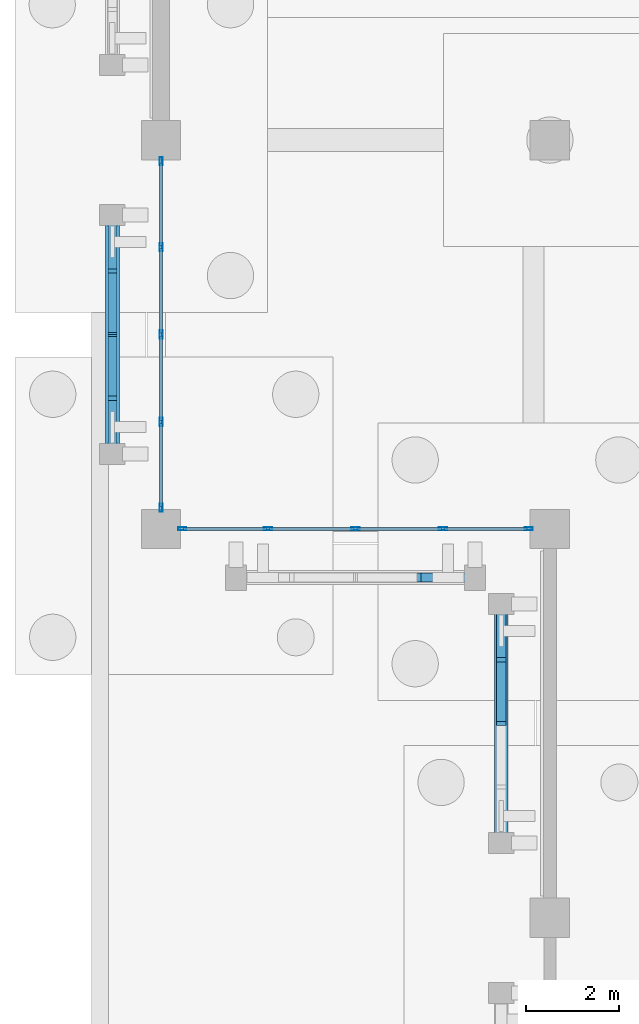
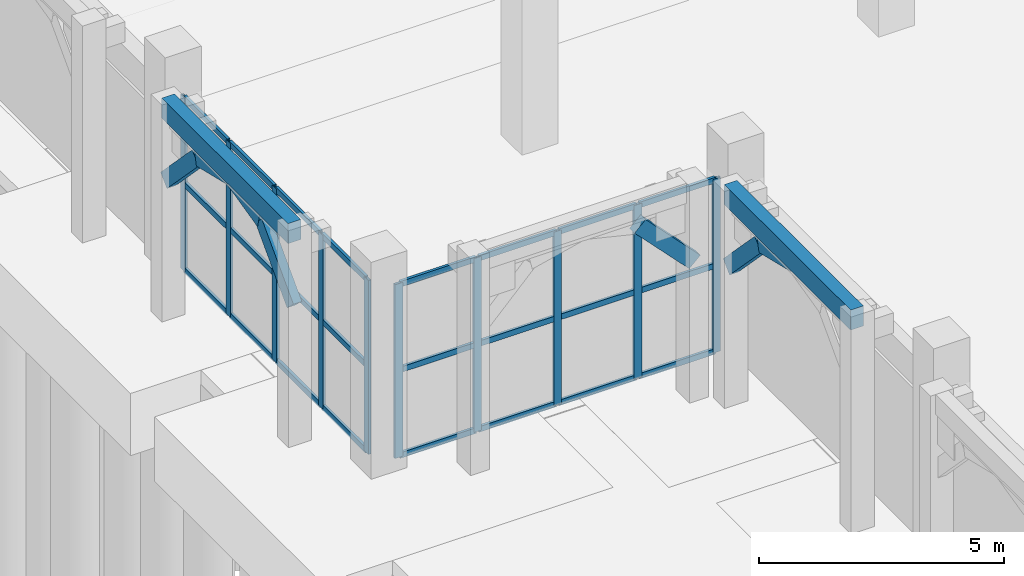
# One storey, part 15 of 98: 41 members, 2 beams, 2 elements without a shape of their own.
"""IFC4 building model written with IfcOpenShell, lengths in metres."""

from ifc_helpers import new_model, si_unit, direction, frame, origin, origin_2d, place, context, subcontext, project, spatial, rectangle, hollow_rectangle, extrude, material, layer, layer_set, material_profile, profile_set, type_object, element, aggregate, save


model = new_model("IFC4")

# Units and contexts
model_context = context("Model", 3, precision=1e-05, world=origin(), true_north=direction((0.0, 1.0)))
body_context = subcontext(model_context, "Body", "Model", "MODEL_VIEW")
ifc_project = project(units=[si_unit("LENGTHUNIT", "METRE"), si_unit("AREAUNIT", "SQUARE_METRE"), si_unit("VOLUMEUNIT", "CUBIC_METRE"), si_unit("PLANEANGLEUNIT", "RADIAN"), si_unit("MASSUNIT", "GRAM", prefix="KILO")], contexts=[model_context])

# Site, building, storey
site_placement = place(None, origin())
site = spatial("IfcSite", under=ifc_project, at=site_placement, CompositionType="ELEMENT")
building_placement = place(site_placement, origin())
building = spatial("IfcBuilding", under=site, at=building_placement, Name="Xazarin Passage Department Store", CompositionType="ELEMENT")
storey_placement = place(building_placement, origin())
storey = spatial("IfcBuildingStorey", under=building, at=storey_placement, Name="L00", CompositionType="ELEMENT", Elevation=0.0)

# Curtain wall, members
ifc_material_1 = material(Name="Bronze anodised aluminium", Category="aluminium")
ifc_layer = layer(ifc_material_1, 0.18994140625)
ifc_layer_set = layer_set([ifc_layer], Name="Bronze anodised aluminium")
curtain_wall_type = type_object("IfcCurtainWallType", Name="ARC-CW-FDH1", PredefinedType="NOTDEFINED", material=ifc_layer_set)
curtain_wall_1_placement = place(storey_placement, origin())
curtain_wall_1 = element("IfcCurtainWall", 1, at=curtain_wall_1_placement, inside=storey, type_object=curtain_wall_type, Name="L00 V3 Curtain Wall 120", PredefinedType="NOTDEFINED")
ifc_material_profile_1 = material_profile(ifc_material_1, hollow_rectangle(XDim=0.06494140625, YDim=0.179931640625, WallThickness=0.00390625, at=origin_2d()), Name="ALU 65x180")
ifc_profile_set_1 = profile_set([ifc_material_profile_1], Name="Bronze anodised aluminium")
member_type_1 = type_object("IfcMemberType", Name="ARC-CWM-65x180", PredefinedType="MULLION", material=ifc_profile_set_1)
member_1_placement = place(storey_placement, frame((0.45751953125, 16.800048828125, 0.0), z_axis=(0.0, 0.0, 1.0), x_axis=(0.0, 1.0, 0.0)))
member_1 = element("IfcMember", 2, at=member_1_placement, type_object=member_type_1, Name="CW5 mullion 1", PredefinedType="MULLION", context=body_context, shape_type="SweptSolid", body=[
    extrude(hollow_rectangle(XDim=0.06494140625, YDim=0.179931640625, WallThickness=0.00390625, at=origin_2d()), origin(), (0.0, 0.0, 1.0), 4.330078125),
])
member_2_placement = place(storey_placement, frame((2.3125, 16.800048828125, 0.0), z_axis=(0.0, 0.0, 1.0), x_axis=(0.0, 1.0, 0.0)))
member_2 = element("IfcMember", 3, at=member_2_placement, type_object=member_type_1, Name="CW5 mullion 2", PredefinedType="MULLION", context=body_context, shape_type="SweptSolid", body=[
    extrude(hollow_rectangle(XDim=0.06494140625, YDim=0.179931640625, WallThickness=0.00390625, at=origin_2d()), origin(), (0.0, 0.0, 1.0), 4.330078125),
])
member_3_placement = place(storey_placement, frame((4.199951171875, 16.800048828125, 0.0), z_axis=(0.0, 0.0, 1.0), x_axis=(0.0, 1.0, 0.0)))
member_3 = element("IfcMember", 4, at=member_3_placement, type_object=member_type_1, Name="CW5 mullion 3", PredefinedType="MULLION", context=body_context, shape_type="SweptSolid", body=[
    extrude(hollow_rectangle(XDim=0.06494140625, YDim=0.179931640625, WallThickness=0.00390625, at=origin_2d()), origin(), (0.0, 0.0, 1.0), 4.330078125),
])
member_4_placement = place(storey_placement, frame((6.08740234375, 16.800048828125, 0.0), z_axis=(0.0, 0.0, 1.0), x_axis=(0.0, 1.0, 0.0)))
member_4 = element("IfcMember", 5, at=member_4_placement, type_object=member_type_1, Name="CW5 mullion 4", PredefinedType="MULLION", context=body_context, shape_type="SweptSolid", body=[
    extrude(hollow_rectangle(XDim=0.06494140625, YDim=0.179931640625, WallThickness=0.00390625, at=origin_2d()), origin(), (0.0, 0.0, 1.0), 4.330078125),
])
member_5_placement = place(storey_placement, frame((7.9423828125, 16.800048828125, 0.0), z_axis=(0.0, 0.0, 1.0), x_axis=(0.0, 1.0, 0.0)))
member_5 = element("IfcMember", 6, at=member_5_placement, type_object=member_type_1, Name="CW5 mullion 5", PredefinedType="MULLION", context=body_context, shape_type="SweptSolid", body=[
    extrude(hollow_rectangle(XDim=0.06494140625, YDim=0.179931640625, WallThickness=0.00390625, at=origin_2d()), origin(), (0.0, 0.0, 1.0), 4.330078125),
])

curtain_wall_2_placement = place(storey_placement, origin())
curtain_wall_2 = element("IfcCurtainWall", 7, at=curtain_wall_2_placement, inside=storey, type_object=curtain_wall_type, Name="L00 V3 Curtain Wall 121", PredefinedType="NOTDEFINED")
member_6_placement = place(storey_placement, frame((0.0, 17.257568359375, 0.0), z_axis=(0.0, 0.0, 1.0), x_axis=(-1.0, 0.0, 0.0)))
member_6 = element("IfcMember", 8, at=member_6_placement, type_object=member_type_1, Name="CW5 mullion 1", PredefinedType="MULLION", context=body_context, shape_type="SweptSolid", body=[
    extrude(hollow_rectangle(XDim=0.06494140625, YDim=0.179931640625, WallThickness=0.00390625, at=origin_2d()), origin(), (0.0, 0.0, 1.0), 4.330078125),
])
member_7_placement = place(storey_placement, frame((0.0, 19.112548828125, 0.0), z_axis=(0.0, 0.0, 1.0), x_axis=(-1.0, 0.0, 0.0)))
member_7 = element("IfcMember", 9, at=member_7_placement, type_object=member_type_1, Name="CW5 mullion 2", PredefinedType="MULLION", context=body_context, shape_type="SweptSolid", body=[
    extrude(hollow_rectangle(XDim=0.06494140625, YDim=0.179931640625, WallThickness=0.00390625, at=origin_2d()), origin(), (0.0, 0.0, 1.0), 4.330078125),
])
member_8_placement = place(storey_placement, frame((0.0, 21.0, 0.0), z_axis=(0.0, 0.0, 1.0), x_axis=(-1.0, 0.0, 0.0)))
member_8 = element("IfcMember", 10, at=member_8_placement, type_object=member_type_1, Name="CW5 mullion 3", PredefinedType="MULLION", context=body_context, shape_type="SweptSolid", body=[
    extrude(hollow_rectangle(XDim=0.06494140625, YDim=0.179931640625, WallThickness=0.00390625, at=origin_2d()), origin(), (0.0, 0.0, 1.0), 4.330078125),
])
member_9_placement = place(storey_placement, frame((0.0, 22.887451171875, 0.0), z_axis=(0.0, 0.0, 1.0), x_axis=(-1.0, 0.0, 0.0)))
member_9 = element("IfcMember", 11, at=member_9_placement, type_object=member_type_1, Name="CW5 mullion 4", PredefinedType="MULLION", context=body_context, shape_type="SweptSolid", body=[
    extrude(hollow_rectangle(XDim=0.06494140625, YDim=0.179931640625, WallThickness=0.00390625, at=origin_2d()), origin(), (0.0, 0.0, 1.0), 4.330078125),
])
member_10_placement = place(storey_placement, frame((0.0, 24.742431640625, 0.0), z_axis=(0.0, 0.0, 1.0), x_axis=(-1.0, 0.0, 0.0)))
member_10 = element("IfcMember", 12, at=member_10_placement, type_object=member_type_1, Name="CW5 mullion 5", PredefinedType="MULLION", context=body_context, shape_type="SweptSolid", body=[
    extrude(hollow_rectangle(XDim=0.06494140625, YDim=0.179931640625, WallThickness=0.00390625, at=origin_2d()), origin(), (0.0, 0.0, 1.0), 4.330078125),
])

# Member
ifc_material_profile_2 = material_profile(ifc_material_1, hollow_rectangle(XDim=0.06494140625, YDim=0.139892578125, WallThickness=0.00390625, at=origin_2d()), Name="ALU 65x140")
ifc_profile_set_2 = profile_set([ifc_material_profile_2], Name="Bronze anodised aluminium")
member_type_2 = type_object("IfcMemberType", Name="ARC-CWT-65x140", PredefinedType="USERDEFINED", material=ifc_profile_set_2)
member_11_placement = place(storey_placement, frame((0.489990234375, 16.800048828125, 0.032470703125), z_axis=(1.0, 0.0, 0.0), x_axis=(0.0, 1.0, 0.0)))
member_11 = element("IfcMember", 13, at=member_11_placement, type_object=member_type_2, Name="CW5 transom 1.1", ObjectType="TRANSOM", PredefinedType="USERDEFINED", context=body_context, shape_type="SweptSolid", body=[
    extrude(hollow_rectangle(XDim=0.06494140625, YDim=0.139892578125, WallThickness=0.00390625, at=origin_2d()), origin(), (0.0, 0.0, 1.0), 1.7900390625),
])

member_12_placement = place(storey_placement, frame((0.489990234375, 16.800048828125, 2.1650390625), z_axis=(1.0, 0.0, 0.0), x_axis=(0.0, 1.0, 0.0)))
member_12 = element("IfcMember", 14, at=member_12_placement, type_object=member_type_2, Name="CW5 transom 1.2", ObjectType="TRANSOM", PredefinedType="USERDEFINED", context=body_context, shape_type="SweptSolid", body=[
    extrude(hollow_rectangle(XDim=0.06494140625, YDim=0.139892578125, WallThickness=0.00390625, at=origin_2d()), origin(), (0.0, 0.0, 1.0), 1.7900390625),
])

member_13_placement = place(storey_placement, frame((0.489990234375, 16.800048828125, 4.297607421875), z_axis=(1.0, 0.0, 0.0), x_axis=(0.0, 1.0, 0.0)))
member_13 = element("IfcMember", 15, at=member_13_placement, type_object=member_type_2, Name="CW5 transom 1.3", ObjectType="TRANSOM", PredefinedType="USERDEFINED", context=body_context, shape_type="SweptSolid", body=[
    extrude(hollow_rectangle(XDim=0.06494140625, YDim=0.139892578125, WallThickness=0.00390625, at=origin_2d()), origin(), (0.0, 0.0, 1.0), 1.7900390625),
])

member_14_placement = place(storey_placement, frame((2.344970703125, 16.800048828125, 0.032470703125), z_axis=(1.0, 0.0, 0.0), x_axis=(0.0, 1.0, 0.0)))
member_14 = element("IfcMember", 16, at=member_14_placement, type_object=member_type_2, Name="CW5 transom 2.1", ObjectType="TRANSOM", PredefinedType="USERDEFINED", context=body_context, shape_type="SweptSolid", body=[
    extrude(hollow_rectangle(XDim=0.06494140625, YDim=0.139892578125, WallThickness=0.00390625, at=origin_2d()), origin(), (0.0, 0.0, 1.0), 1.822509765625),
])

member_15_placement = place(storey_placement, frame((2.344970703125, 16.800048828125, 2.1650390625), z_axis=(1.0, 0.0, 0.0), x_axis=(0.0, 1.0, 0.0)))
member_15 = element("IfcMember", 17, at=member_15_placement, type_object=member_type_2, Name="CW5 transom 2.2", ObjectType="TRANSOM", PredefinedType="USERDEFINED", context=body_context, shape_type="SweptSolid", body=[
    extrude(hollow_rectangle(XDim=0.06494140625, YDim=0.139892578125, WallThickness=0.00390625, at=origin_2d()), origin(), (0.0, 0.0, 1.0), 1.822509765625),
])

member_16_placement = place(storey_placement, frame((2.344970703125, 16.800048828125, 4.297607421875), z_axis=(1.0, 0.0, 0.0), x_axis=(0.0, 1.0, 0.0)))
member_16 = element("IfcMember", 18, at=member_16_placement, type_object=member_type_2, Name="CW5 transom 2.3", ObjectType="TRANSOM", PredefinedType="USERDEFINED", context=body_context, shape_type="SweptSolid", body=[
    extrude(hollow_rectangle(XDim=0.06494140625, YDim=0.139892578125, WallThickness=0.00390625, at=origin_2d()), origin(), (0.0, 0.0, 1.0), 1.822509765625),
])

member_17_placement = place(storey_placement, frame((4.232421875, 16.800048828125, 0.032470703125), z_axis=(1.0, 0.0, 0.0), x_axis=(0.0, 1.0, 0.0)))
member_17 = element("IfcMember", 19, at=member_17_placement, type_object=member_type_2, Name="CW5 transom 3.1", ObjectType="TRANSOM", PredefinedType="USERDEFINED", context=body_context, shape_type="SweptSolid", body=[
    extrude(hollow_rectangle(XDim=0.06494140625, YDim=0.139892578125, WallThickness=0.00390625, at=origin_2d()), origin(), (0.0, 0.0, 1.0), 1.822509765625),
])

member_18_placement = place(storey_placement, frame((4.232421875, 16.800048828125, 2.1650390625), z_axis=(1.0, 0.0, 0.0), x_axis=(0.0, 1.0, 0.0)))
member_18 = element("IfcMember", 20, at=member_18_placement, type_object=member_type_2, Name="CW5 transom 3.2", ObjectType="TRANSOM", PredefinedType="USERDEFINED", context=body_context, shape_type="SweptSolid", body=[
    extrude(hollow_rectangle(XDim=0.06494140625, YDim=0.139892578125, WallThickness=0.00390625, at=origin_2d()), origin(), (0.0, 0.0, 1.0), 1.822509765625),
])

member_19_placement = place(storey_placement, frame((4.232421875, 16.800048828125, 4.297607421875), z_axis=(1.0, 0.0, 0.0), x_axis=(0.0, 1.0, 0.0)))
member_19 = element("IfcMember", 21, at=member_19_placement, type_object=member_type_2, Name="CW5 transom 3.3", ObjectType="TRANSOM", PredefinedType="USERDEFINED", context=body_context, shape_type="SweptSolid", body=[
    extrude(hollow_rectangle(XDim=0.06494140625, YDim=0.139892578125, WallThickness=0.00390625, at=origin_2d()), origin(), (0.0, 0.0, 1.0), 1.822509765625),
])

member_20_placement = place(storey_placement, frame((6.1201171875, 16.800048828125, 0.032470703125), z_axis=(1.0, 0.0, 0.0), x_axis=(0.0, 1.0, 0.0)))
member_20 = element("IfcMember", 22, at=member_20_placement, type_object=member_type_2, Name="CW5 transom 4.1", ObjectType="TRANSOM", PredefinedType="USERDEFINED", context=body_context, shape_type="SweptSolid", body=[
    extrude(hollow_rectangle(XDim=0.06494140625, YDim=0.139892578125, WallThickness=0.00390625, at=origin_2d()), origin(), (0.0, 0.0, 1.0), 1.789794921875),
])

member_21_placement = place(storey_placement, frame((6.1201171875, 16.800048828125, 2.1650390625), z_axis=(1.0, 0.0, 0.0), x_axis=(0.0, 1.0, 0.0)))
member_21 = element("IfcMember", 23, at=member_21_placement, type_object=member_type_2, Name="CW5 transom 4.2", ObjectType="TRANSOM", PredefinedType="USERDEFINED", context=body_context, shape_type="SweptSolid", body=[
    extrude(hollow_rectangle(XDim=0.06494140625, YDim=0.139892578125, WallThickness=0.00390625, at=origin_2d()), origin(), (0.0, 0.0, 1.0), 1.789794921875),
])

member_22_placement = place(storey_placement, frame((6.1201171875, 16.800048828125, 4.297607421875), z_axis=(1.0, 0.0, 0.0), x_axis=(0.0, 1.0, 0.0)))
member_22 = element("IfcMember", 24, at=member_22_placement, type_object=member_type_2, Name="CW5 transom 4.3", ObjectType="TRANSOM", PredefinedType="USERDEFINED", context=body_context, shape_type="SweptSolid", body=[
    extrude(hollow_rectangle(XDim=0.06494140625, YDim=0.139892578125, WallThickness=0.00390625, at=origin_2d()), origin(), (0.0, 0.0, 1.0), 1.789794921875),
])

aggregate(curtain_wall_1, [member_1, member_2, member_3, member_4, member_5, member_11, member_12, member_13, member_14, member_15, member_16, member_17, member_18, member_19, member_20, member_21, member_22])

member_23_placement = place(storey_placement, frame((0.0, 17.2900390625, 0.032470703125), z_axis=(0.0, 1.0, 0.0), x_axis=(-1.0, 0.0, 0.0)))
member_23 = element("IfcMember", 25, at=member_23_placement, type_object=member_type_2, Name="CW5 transom 1.1", ObjectType="TRANSOM", PredefinedType="USERDEFINED", context=body_context, shape_type="SweptSolid", body=[
    extrude(hollow_rectangle(XDim=0.06494140625, YDim=0.139892578125, WallThickness=0.00390625, at=origin_2d()), origin(), (0.0, 0.0, 1.0), 1.7900390625),
])

member_24_placement = place(storey_placement, frame((0.0, 17.2900390625, 2.1650390625), z_axis=(0.0, 1.0, 0.0), x_axis=(-1.0, 0.0, 0.0)))
member_24 = element("IfcMember", 26, at=member_24_placement, type_object=member_type_2, Name="CW5 transom 1.2", ObjectType="TRANSOM", PredefinedType="USERDEFINED", context=body_context, shape_type="SweptSolid", body=[
    extrude(hollow_rectangle(XDim=0.06494140625, YDim=0.139892578125, WallThickness=0.00390625, at=origin_2d()), origin(), (0.0, 0.0, 1.0), 1.7900390625),
])

member_25_placement = place(storey_placement, frame((0.0, 17.2900390625, 4.297607421875), z_axis=(0.0, 1.0, 0.0), x_axis=(-1.0, 0.0, 0.0)))
member_25 = element("IfcMember", 27, at=member_25_placement, type_object=member_type_2, Name="CW5 transom 1.3", ObjectType="TRANSOM", PredefinedType="USERDEFINED", context=body_context, shape_type="SweptSolid", body=[
    extrude(hollow_rectangle(XDim=0.06494140625, YDim=0.139892578125, WallThickness=0.00390625, at=origin_2d()), origin(), (0.0, 0.0, 1.0), 1.7900390625),
])

member_26_placement = place(storey_placement, frame((0.0, 19.14501953125, 0.032470703125), z_axis=(0.0, 1.0, 0.0), x_axis=(-1.0, 0.0, 0.0)))
member_26 = element("IfcMember", 28, at=member_26_placement, type_object=member_type_2, Name="CW5 transom 2.1", ObjectType="TRANSOM", PredefinedType="USERDEFINED", context=body_context, shape_type="SweptSolid", body=[
    extrude(hollow_rectangle(XDim=0.06494140625, YDim=0.139892578125, WallThickness=0.00390625, at=origin_2d()), origin(), (0.0, 0.0, 1.0), 1.822509765625),
])

member_27_placement = place(storey_placement, frame((0.0, 19.14501953125, 2.1650390625), z_axis=(0.0, 1.0, 0.0), x_axis=(-1.0, 0.0, 0.0)))
member_27 = element("IfcMember", 29, at=member_27_placement, type_object=member_type_2, Name="CW5 transom 2.2", ObjectType="TRANSOM", PredefinedType="USERDEFINED", context=body_context, shape_type="SweptSolid", body=[
    extrude(hollow_rectangle(XDim=0.06494140625, YDim=0.139892578125, WallThickness=0.00390625, at=origin_2d()), origin(), (0.0, 0.0, 1.0), 1.822509765625),
])

member_28_placement = place(storey_placement, frame((0.0, 19.14501953125, 4.297607421875), z_axis=(0.0, 1.0, 0.0), x_axis=(-1.0, 0.0, 0.0)))
member_28 = element("IfcMember", 30, at=member_28_placement, type_object=member_type_2, Name="CW5 transom 2.3", ObjectType="TRANSOM", PredefinedType="USERDEFINED", context=body_context, shape_type="SweptSolid", body=[
    extrude(hollow_rectangle(XDim=0.06494140625, YDim=0.139892578125, WallThickness=0.00390625, at=origin_2d()), origin(), (0.0, 0.0, 1.0), 1.822509765625),
])

member_29_placement = place(storey_placement, frame((0.0, 21.032470703125, 0.032470703125), z_axis=(0.0, 1.0, 0.0), x_axis=(-1.0, 0.0, 0.0)))
member_29 = element("IfcMember", 31, at=member_29_placement, type_object=member_type_2, Name="CW5 transom 3.1", ObjectType="TRANSOM", PredefinedType="USERDEFINED", context=body_context, shape_type="SweptSolid", body=[
    extrude(hollow_rectangle(XDim=0.06494140625, YDim=0.139892578125, WallThickness=0.00390625, at=origin_2d()), origin(), (0.0, 0.0, 1.0), 1.822509765625),
])

member_30_placement = place(storey_placement, frame((0.0, 21.032470703125, 2.1650390625), z_axis=(0.0, 1.0, 0.0), x_axis=(-1.0, 0.0, 0.0)))
member_30 = element("IfcMember", 32, at=member_30_placement, type_object=member_type_2, Name="CW5 transom 3.2", ObjectType="TRANSOM", PredefinedType="USERDEFINED", context=body_context, shape_type="SweptSolid", body=[
    extrude(hollow_rectangle(XDim=0.06494140625, YDim=0.139892578125, WallThickness=0.00390625, at=origin_2d()), origin(), (0.0, 0.0, 1.0), 1.822509765625),
])

member_31_placement = place(storey_placement, frame((0.0, 21.032470703125, 4.297607421875), z_axis=(0.0, 1.0, 0.0), x_axis=(-1.0, 0.0, 0.0)))
member_31 = element("IfcMember", 33, at=member_31_placement, type_object=member_type_2, Name="CW5 transom 3.3", ObjectType="TRANSOM", PredefinedType="USERDEFINED", context=body_context, shape_type="SweptSolid", body=[
    extrude(hollow_rectangle(XDim=0.06494140625, YDim=0.139892578125, WallThickness=0.00390625, at=origin_2d()), origin(), (0.0, 0.0, 1.0), 1.822509765625),
])

member_32_placement = place(storey_placement, frame((0.0, 22.919921875, 0.032470703125), z_axis=(0.0, 1.0, 0.0), x_axis=(-1.0, 0.0, 0.0)))
member_32 = element("IfcMember", 34, at=member_32_placement, type_object=member_type_2, Name="CW5 transom 4.1", ObjectType="TRANSOM", PredefinedType="USERDEFINED", context=body_context, shape_type="SweptSolid", body=[
    extrude(hollow_rectangle(XDim=0.06494140625, YDim=0.139892578125, WallThickness=0.00390625, at=origin_2d()), origin(), (0.0, 0.0, 1.0), 1.7900390625),
])

member_33_placement = place(storey_placement, frame((0.0, 22.919921875, 2.1650390625), z_axis=(0.0, 1.0, 0.0), x_axis=(-1.0, 0.0, 0.0)))
member_33 = element("IfcMember", 35, at=member_33_placement, type_object=member_type_2, Name="CW5 transom 4.2", ObjectType="TRANSOM", PredefinedType="USERDEFINED", context=body_context, shape_type="SweptSolid", body=[
    extrude(hollow_rectangle(XDim=0.06494140625, YDim=0.139892578125, WallThickness=0.00390625, at=origin_2d()), origin(), (0.0, 0.0, 1.0), 1.7900390625),
])

member_34_placement = place(storey_placement, frame((0.0, 22.919921875, 4.297607421875), z_axis=(0.0, 1.0, 0.0), x_axis=(-1.0, 0.0, 0.0)))
member_34 = element("IfcMember", 36, at=member_34_placement, type_object=member_type_2, Name="CW5 transom 4.3", ObjectType="TRANSOM", PredefinedType="USERDEFINED", context=body_context, shape_type="SweptSolid", body=[
    extrude(hollow_rectangle(XDim=0.06494140625, YDim=0.139892578125, WallThickness=0.00390625, at=origin_2d()), origin(), (0.0, 0.0, 1.0), 1.7900390625),
])

aggregate(curtain_wall_2, [member_6, member_7, member_8, member_9, member_10, member_23, member_24, member_25, member_26, member_27, member_28, member_29, member_30, member_31, member_32, member_33, member_34])

# Beams
ifc_material_2 = material(Name="Concrete C35/45", Category="concrete")
ifc_material_profile_3 = material_profile(ifc_material_2, rectangle(XDim=0.300048828125, YDim=0.5, at=origin_2d()), Name="RC 300x500")
ifc_profile_set_3 = profile_set([ifc_material_profile_3], Name="Concrete C35/45")
beam_type = type_object("IfcBeamType", Name="STR-BM-LN300x500", PredefinedType="LINTEL", material=ifc_profile_set_3)
beam_1_placement = place(storey_placement, frame((-1.050048828125, 18.419921875, 5.14990234375), z_axis=(0.0, 1.0, 0.0), x_axis=(-1.0, 0.0, 0.0)))
element("IfcBeam", 37, at=beam_1_placement, inside=storey, type_object=beam_type, Name="L00 V3 Colonnade Spandrel Beam 034", PredefinedType="LINTEL", context=body_context, shape_type="SweptSolid", body=[
    extrude(rectangle(XDim=0.300048828125, YDim=0.5, at=origin_2d()), origin(), (0.0, 0.0, 1.0), 5.16015625),
])
beam_2_placement = place(storey_placement, frame((7.35009765625, 10.02001953125, 5.14990234375), z_axis=(0.0, 1.0, 0.0), x_axis=(-1.0, 0.0, 0.0)))
element("IfcBeam", 38, at=beam_2_placement, inside=storey, type_object=beam_type, Name="L00 V3 Colonnade Spandrel Beam 039", PredefinedType="LINTEL", context=body_context, shape_type="SweptSolid", body=[
    extrude(rectangle(XDim=0.300048828125, YDim=0.5, at=origin_2d()), origin(), (0.0, 0.0, 1.0), 5.159912109375),
])

# Members
ifc_material_3 = material(Name="Concrete C40/50", Category="concrete")
ifc_material_profile_4 = material_profile(ifc_material_3, rectangle(XDim=0.199951171875, YDim=0.360107421875, at=origin_2d()), Name="RC 200x360")
ifc_profile_set_4 = profile_set([ifc_material_profile_4], Name="Concrete C40/50")
member_type_3 = type_object("IfcMemberType", Name="STR-MEM-ARC360", PredefinedType="CHORD", material=ifc_profile_set_4)
for number, where, z_axis, x_axis, name in (
    (39, (5.489990234375, 15.75, 4.67041015625), (0.693460080602, 0.0, -0.720495049679), (0.0, 1.0, 0.0), "L00 V3 Pierced Lattice Curved Arch 026.4"),
    (40, (-1.050048828125, 18.419921875, 3.330078125), (0.0, 0.693460080602, 0.720495049679), (-1.0, 0.0, 0.0), "L00 V3 Pierced Lattice Curved Arch 034.1"),
):
    element("IfcMember", number, at=place(storey_placement, frame(where, z_axis=z_axis, x_axis=x_axis)), inside=storey, type_object=member_type_3, Name=name, PredefinedType="CHORD", context=body_context, shape_type="SweptSolid", body=[
        extrude(rectangle(XDim=0.199951171875, YDim=0.360107421875, at=origin_2d()), origin(), (0.0, 0.0, 1.0), 1.8603515625),
    ])
for number, where, z_axis, x_axis, name in (
    (41, (-1.050048828125, 19.7099609375, 4.67041015625), (0.0, 0.972393983317, 0.233345111818), (-1.0, 0.0, 0.0), "L00 V3 Pierced Lattice Curved Arch 034.2"),
    (42, (-1.050048828125, 21.0, 4.97998046875), (0.0, 0.972393983317, -0.233345111818), (-1.0, 0.0, 0.0), "L00 V3 Pierced Lattice Curved Arch 034.3"),
):
    element("IfcMember", number, at=place(storey_placement, frame(where, z_axis=z_axis, x_axis=x_axis)), inside=storey, type_object=member_type_3, Name=name, PredefinedType="CHORD", context=body_context, shape_type="SweptSolid", body=[
        extrude(rectangle(XDim=0.199951171875, YDim=0.360107421875, at=origin_2d()), origin(), (0.0, 0.0, 1.0), 1.32666015625),
    ])
member_35_placement = place(storey_placement, frame((-1.050048828125, 22.2900390625, 4.67041015625), z_axis=(0.0, 0.693460080602, -0.720495049679), x_axis=(-1.0, 0.0, 0.0)))
element("IfcMember", 43, at=member_35_placement, inside=storey, type_object=member_type_3, Name="L00 V3 Pierced Lattice Curved Arch 034.4", PredefinedType="CHORD", context=body_context, shape_type="SweptSolid", body=[
    extrude(rectangle(XDim=0.199951171875, YDim=0.360107421875, at=origin_2d()), origin(), (0.0, 0.0, 1.0), 1.8603515625),
])
member_36_placement = place(storey_placement, frame((7.35009765625, 12.60009765625, 4.97998046875), z_axis=(0.0, 0.972383960415, -0.233386875224), x_axis=(-1.0, 0.0, 0.0)))
element("IfcMember", 44, at=member_36_placement, inside=storey, type_object=member_type_3, Name="L00 V3 Pierced Lattice Curved Arch 039.3", PredefinedType="CHORD", context=body_context, shape_type="SweptSolid", body=[
    extrude(rectangle(XDim=0.199951171875, YDim=0.360107421875, at=origin_2d()), origin(), (0.0, 0.0, 1.0), 1.326416015625),
])
member_37_placement = place(storey_placement, frame((7.35009765625, 13.889892578125, 4.67041015625), z_axis=(0.0, 0.693460080602, -0.720495049679), x_axis=(-1.0, 0.0, 0.0)))
element("IfcMember", 45, at=member_37_placement, inside=storey, type_object=member_type_3, Name="L00 V3 Pierced Lattice Curved Arch 039.4", PredefinedType="CHORD", context=body_context, shape_type="SweptSolid", body=[
    extrude(rectangle(XDim=0.199951171875, YDim=0.360107421875, at=origin_2d()), origin(), (0.0, 0.0, 1.0), 1.8603515625),
])

save(model, "model.ifc")
